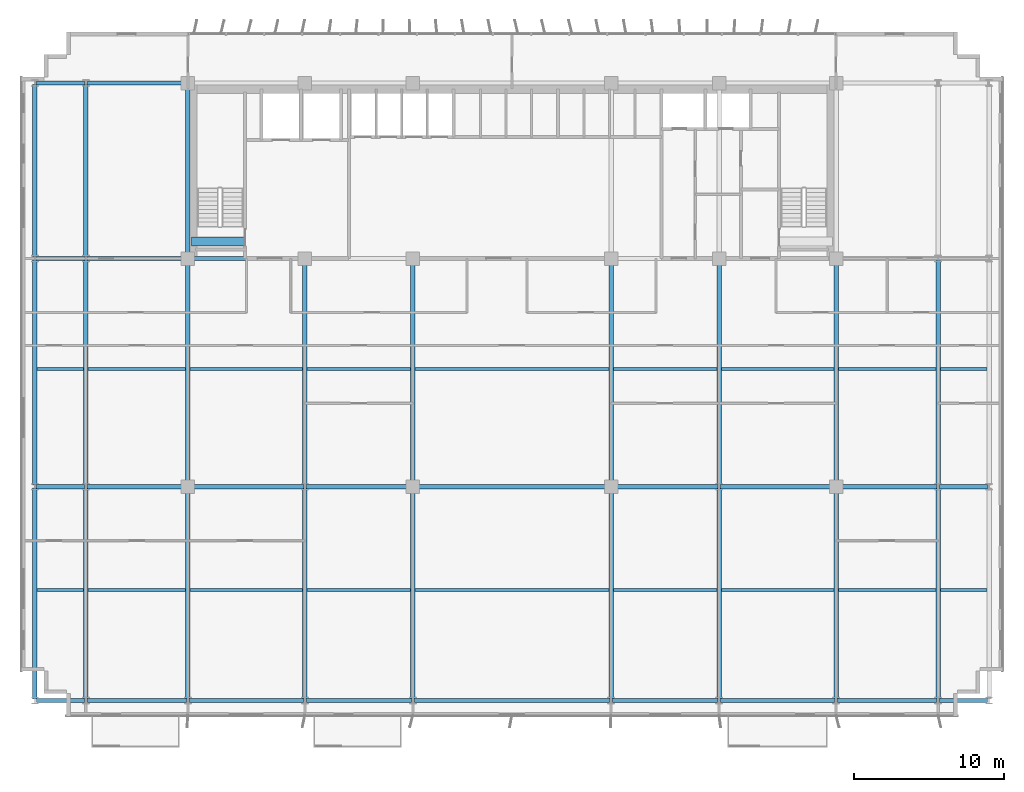
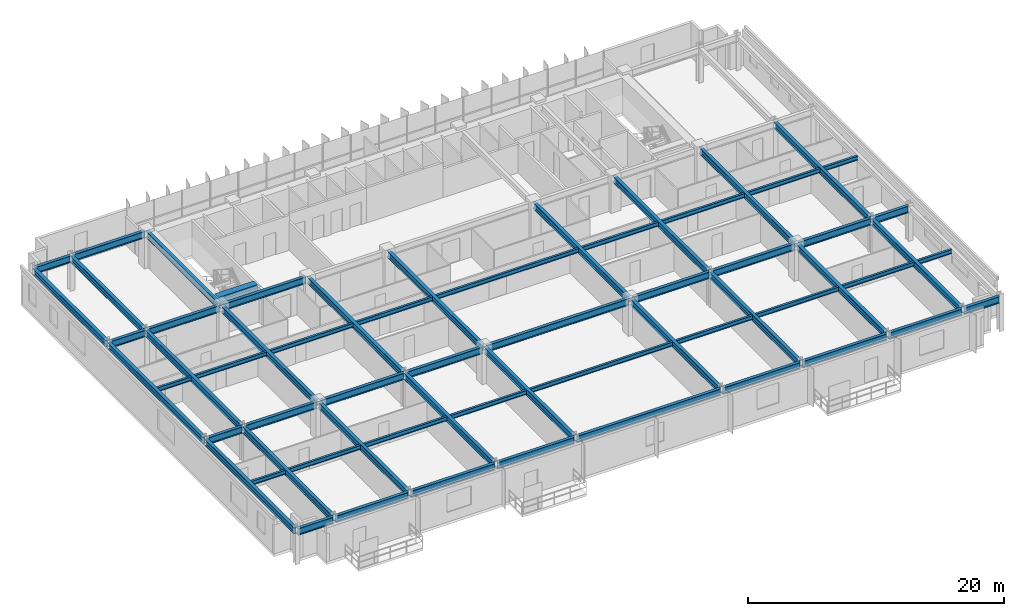
# One storey, part 4 of 21: 63 beams.
"""IFC4 building model written with IfcOpenShell, lengths in metres."""

from ifc_helpers import new_model, si_unit, direction, frame, origin, origin_2d, place, context, subcontext, project, spatial, rectangle, i_section, extrude, source, transform, mapped, material, material_profile, profile_set, type_object, element, save


model = new_model("IFC4")

# Units and contexts
model_context = context("Model", 3, precision=1e-05, world=origin(), true_north=direction((0.0, 1.0)))
body_context = subcontext(model_context, "Body", "Model", "MODEL_VIEW")
ifc_project = project(units=[si_unit("LENGTHUNIT", "METRE"), si_unit("AREAUNIT", "SQUARE_METRE"), si_unit("VOLUMEUNIT", "CUBIC_METRE"), si_unit("PLANEANGLEUNIT", "RADIAN"), si_unit("MASSUNIT", "GRAM", prefix="KILO")], contexts=[model_context])

# Site, building, storey
site_placement = place(None, origin())
site = spatial("IfcSite", under=ifc_project, at=site_placement, CompositionType="ELEMENT")
building_placement = place(site_placement, origin())
building = spatial("IfcBuilding", under=site, at=building_placement, Name="Trelvane Seafront Commons", CompositionType="ELEMENT")
storey_placement = place(building_placement, frame((0.0, 0.0, 41.5)))
storey = spatial("IfcBuildingStorey", under=building, at=storey_placement, Name="L10", CompositionType="ELEMENT", Elevation=41.5)

# Beams
ifc_material_1 = material(Name="Concrete C60/75", Category="concrete")
ifc_material_profile_1 = material_profile(ifc_material_1, rectangle(XDim=0.60009765625, YDim=0.89990234375, at=origin_2d()), Name="RC-600x900")
ifc_profile_set_1 = profile_set([ifc_material_profile_1], Name="Concrete C60/75")
beam_type_1 = type_object("IfcBeamType", Name="STR-LNT-RC600x900", PredefinedType="LINTEL", material=ifc_profile_set_1)
shared_shape_1 = source(origin(), body_context, "Body", "SweptSolid", [
    extrude(rectangle(XDim=0.60009765625, YDim=0.89990234375, at=origin_2d()), origin(), (0.0, 0.0, 1.0), 3.5498046875),
])
beam_1_placement = place(storey_placement, frame((15.85009765625, 34.550048828125, 2.889892578125), z_axis=(1.0, 0.0, 0.0), x_axis=(0.0, 1.0, 0.0)))
element("IfcBeam", 1, at=beam_1_placement, inside=storey, type_object=beam_type_1, Name="L10 Core Coupling Lintel Beam CB-85", PredefinedType="LINTEL", context=body_context, shape_type="MappedRepresentation", body=[
    mapped(shared_shape_1, transform((0.0, 0.0, 0.0), x_axis=(1.0, 0.0, 0.0), y_axis=(0.0, 1.0, 0.0), z_axis=(0.0, 0.0, 1.0), scale=1.0)),
])
ifc_material_2 = material(Name="Steel SM355 (S355)", Category="steel")
ifc_material_profile_2 = material_profile(ifc_material_2, i_section(OverallWidth=0.280029296875, OverallDepth=0.64990234375, WebThickness=0.012939453125, FlangeThickness=0.02197265625, at=origin_2d()), Name="H-650x280x13x22")
ifc_profile_set_2 = profile_set([ifc_material_profile_2], Name="Steel SM355 (S355)")
beam_type_2 = type_object("IfcBeamType", Name="STR-BM-H650", PredefinedType="BEAM", material=ifc_profile_set_2)
shared_shape_2 = source(origin(), body_context, "Body", "SweptSolid", [
    extrude(i_section(OverallWidth=0.280029296875, OverallDepth=0.64990234375, WebThickness=0.012939453125, FlangeThickness=0.02197265625, at=origin_2d()), origin(), (0.0, 0.0, 1.0), 3.190185546875),
])
for number, where, z_axis, x_axis, name in (
    (2, (5.5048828125, 3.949951171875, 3.014892578125), (1.0, 0.0, 0.0), (0.0, 1.0, 0.0), "L10 Primary Girder G-01"),
    (3, (5.5048828125, 18.199951171875, 3.014892578125), (1.0, 0.0, 0.0), (0.0, 1.0, 0.0), "L10 Primary Girder G-10"),
    (4, (5.5048828125, 33.39990234375, 3.014892578125), (1.0, 0.0, 0.0), (0.0, 1.0, 0.0), "L10 Primary Girder G-19"),
    (5, (5.5048828125, 45.10009765625, 3.014892578125), (1.0, 0.0, 0.0), (0.0, 1.0, 0.0), "L10 Primary Girder G-28"),
):
    element("IfcBeam", number, at=place(storey_placement, frame(where, z_axis=z_axis, x_axis=x_axis)), inside=storey, type_object=beam_type_2, Name=name, PredefinedType="BEAM", context=body_context, shape_type="MappedRepresentation", body=[
        mapped(shared_shape_2, transform((0.0, 0.0, 0.0), x_axis=(1.0, 0.0, 0.0), y_axis=(0.0, 1.0, 0.0), z_axis=(0.0, 0.0, 1.0), scale=1.0)),
    ])
shared_shape_3 = source(origin(), body_context, "Body", "SweptSolid", [
    extrude(i_section(OverallWidth=0.280029296875, OverallDepth=0.64990234375, WebThickness=0.012939453125, FlangeThickness=0.02197265625, at=origin_2d()), origin(), (0.0, 0.0, 1.0), 6.590087890625),
])
for number, where, z_axis, x_axis, name in (
    (6, (8.905029296875, 3.949951171875, 3.014892578125), (1.0, 0.0, 0.0), (0.0, 1.0, 0.0), "L10 Primary Girder G-02"),
    (7, (58.905029296875, 3.949951171875, 3.014892578125), (1.0, 0.0, 0.0), (0.0, 1.0, 0.0), "L10 Primary Girder G-08"),
):
    element("IfcBeam", number, at=place(storey_placement, frame(where, z_axis=z_axis, x_axis=x_axis)), inside=storey, type_object=beam_type_2, Name=name, PredefinedType="BEAM", context=body_context, shape_type="MappedRepresentation", body=[
        mapped(shared_shape_3, transform((0.0, 0.0, 0.0), x_axis=(1.0, 0.0, 0.0), y_axis=(0.0, 1.0, 0.0), z_axis=(0.0, 0.0, 1.0), scale=1.0)),
    ])
shared_shape_4 = source(origin(), body_context, "Body", "SweptSolid", [
    extrude(i_section(OverallWidth=0.280029296875, OverallDepth=0.64990234375, WebThickness=0.012939453125, FlangeThickness=0.02197265625, at=origin_2d()), origin(), (0.0, 0.0, 1.0), 7.58984375),
])
beam_2_placement = place(storey_placement, frame((15.705078125, 3.949951171875, 3.014892578125), z_axis=(1.0, 0.0, 0.0), x_axis=(0.0, 1.0, 0.0)))
element("IfcBeam", 8, at=beam_2_placement, inside=storey, type_object=beam_type_2, Name="L10 Primary Girder G-03", PredefinedType="BEAM", context=body_context, shape_type="MappedRepresentation", body=[
    mapped(shared_shape_4, transform((0.0, 0.0, 0.0), x_axis=(1.0, 0.0, 0.0), y_axis=(0.0, 1.0, 0.0), z_axis=(0.0, 0.0, 1.0), scale=1.0)),
])
shared_shape_5 = source(origin(), body_context, "Body", "SweptSolid", [
    extrude(i_section(OverallWidth=0.280029296875, OverallDepth=0.64990234375, WebThickness=0.012939453125, FlangeThickness=0.02197265625, at=origin_2d()), origin(), (0.0, 0.0, 1.0), 6.990234375),
])
beam_3_placement = place(storey_placement, frame((23.5048828125, 3.949951171875, 3.014892578125), z_axis=(1.0, 0.0, 0.0), x_axis=(0.0, 1.0, 0.0)))
element("IfcBeam", 9, at=beam_3_placement, inside=storey, type_object=beam_type_2, Name="L10 Primary Girder G-04", PredefinedType="BEAM", context=body_context, shape_type="MappedRepresentation", body=[
    mapped(shared_shape_5, transform((0.0, 0.0, 0.0), x_axis=(1.0, 0.0, 0.0), y_axis=(0.0, 1.0, 0.0), z_axis=(0.0, 0.0, 1.0), scale=1.0)),
])
shared_shape_6 = source(origin(), body_context, "Body", "SweptSolid", [
    extrude(i_section(OverallWidth=0.280029296875, OverallDepth=0.64990234375, WebThickness=0.012939453125, FlangeThickness=0.02197265625, at=origin_2d()), origin(), (0.0, 0.0, 1.0), 12.989990234375),
])
beam_4_placement = place(storey_placement, frame((30.705078125, 3.949951171875, 3.014892578125), z_axis=(1.0, 0.0, 0.0), x_axis=(0.0, 1.0, 0.0)))
element("IfcBeam", 10, at=beam_4_placement, inside=storey, type_object=beam_type_2, Name="L10 Primary Girder G-05", PredefinedType="BEAM", context=body_context, shape_type="MappedRepresentation", body=[
    mapped(shared_shape_6, transform((0.0, 0.0, 0.0), x_axis=(1.0, 0.0, 0.0), y_axis=(0.0, 1.0, 0.0), z_axis=(0.0, 0.0, 1.0), scale=1.0)),
])
shared_shape_7 = source(origin(), body_context, "Body", "SweptSolid", [
    extrude(i_section(OverallWidth=0.280029296875, OverallDepth=0.64990234375, WebThickness=0.012939453125, FlangeThickness=0.02197265625, at=origin_2d()), origin(), (0.0, 0.0, 1.0), 6.989990234375),
])
beam_5_placement = place(storey_placement, frame((43.905029296875, 3.949951171875, 3.014892578125), z_axis=(1.0, 0.0, 0.0), x_axis=(0.0, 1.0, 0.0)))
element("IfcBeam", 11, at=beam_5_placement, inside=storey, type_object=beam_type_2, Name="L10 Primary Girder G-06", PredefinedType="BEAM", context=body_context, shape_type="MappedRepresentation", body=[
    mapped(shared_shape_7, transform((0.0, 0.0, 0.0), x_axis=(1.0, 0.0, 0.0), y_axis=(0.0, 1.0, 0.0), z_axis=(0.0, 0.0, 1.0), scale=1.0)),
])
shared_shape_8 = source(origin(), body_context, "Body", "SweptSolid", [
    extrude(i_section(OverallWidth=0.280029296875, OverallDepth=0.64990234375, WebThickness=0.012939453125, FlangeThickness=0.02197265625, at=origin_2d()), origin(), (0.0, 0.0, 1.0), 7.590087890625),
])
beam_6_placement = place(storey_placement, frame((51.10498046875, 3.949951171875, 3.014892578125), z_axis=(1.0, 0.0, 0.0), x_axis=(0.0, 1.0, 0.0)))
element("IfcBeam", 12, at=beam_6_placement, inside=storey, type_object=beam_type_2, Name="L10 Primary Girder G-07", PredefinedType="BEAM", context=body_context, shape_type="MappedRepresentation", body=[
    mapped(shared_shape_8, transform((0.0, 0.0, 0.0), x_axis=(1.0, 0.0, 0.0), y_axis=(0.0, 1.0, 0.0), z_axis=(0.0, 0.0, 1.0), scale=1.0)),
])
shared_shape_9 = source(origin(), body_context, "Body", "SweptSolid", [
    extrude(i_section(OverallWidth=0.280029296875, OverallDepth=0.64990234375, WebThickness=0.012939453125, FlangeThickness=0.02197265625, at=origin_2d()), origin(), (0.0, 0.0, 1.0), 3.18994140625),
])
for number, where, z_axis, x_axis, name in (
    (13, (65.705078125, 3.949951171875, 3.014892578125), (1.0, 0.0, 0.0), (0.0, 1.0, 0.0), "L10 Primary Girder G-09"),
    (14, (65.705078125, 18.199951171875, 3.014892578125), (1.0, 0.0, 0.0), (0.0, 1.0, 0.0), "L10 Primary Girder G-18"),
):
    element("IfcBeam", number, at=place(storey_placement, frame(where, z_axis=z_axis, x_axis=x_axis)), inside=storey, type_object=beam_type_2, Name=name, PredefinedType="BEAM", context=body_context, shape_type="MappedRepresentation", body=[
        mapped(shared_shape_9, transform((0.0, 0.0, 0.0), x_axis=(1.0, 0.0, 0.0), y_axis=(0.0, 1.0, 0.0), z_axis=(0.0, 0.0, 1.0), scale=1.0)),
    ])
shared_shape_10 = source(origin(), body_context, "Body", "SweptSolid", [
    extrude(i_section(OverallWidth=0.280029296875, OverallDepth=0.64990234375, WebThickness=0.012939453125, FlangeThickness=0.02197265625, at=origin_2d()), origin(), (0.0, 0.0, 1.0), 6.544921875),
])
for number, where, z_axis, x_axis, name in (
    (15, (8.905029296875, 18.199951171875, 3.014892578125), (1.0, 0.0, 0.0), (0.0, 1.0, 0.0), "L10 Primary Girder G-11"),
    (16, (8.905029296875, 33.39990234375, 3.014892578125), (1.0, 0.0, 0.0), (0.0, 1.0, 0.0), "L10 Primary Girder G-20"),
    (17, (8.905029296875, 45.10009765625, 3.014892578125), (1.0, 0.0, 0.0), (0.0, 1.0, 0.0), "L10 Primary Girder G-29"),
):
    element("IfcBeam", number, at=place(storey_placement, frame(where, z_axis=z_axis, x_axis=x_axis)), inside=storey, type_object=beam_type_2, Name=name, PredefinedType="BEAM", context=body_context, shape_type="MappedRepresentation", body=[
        mapped(shared_shape_10, transform((0.0, 0.0, 0.0), x_axis=(1.0, 0.0, 0.0), y_axis=(0.0, 1.0, 0.0), z_axis=(0.0, 0.0, 1.0), scale=1.0)),
    ])
shared_shape_11 = source(origin(), body_context, "Body", "SweptSolid", [
    extrude(i_section(OverallWidth=0.280029296875, OverallDepth=0.64990234375, WebThickness=0.012939453125, FlangeThickness=0.02197265625, at=origin_2d()), origin(), (0.0, 0.0, 1.0), 7.544921875),
])
for number, where, z_axis, x_axis, name in (
    (18, (15.75, 18.199951171875, 3.014892578125), (1.0, 0.0, 0.0), (0.0, 1.0, 0.0), "L10 Primary Girder G-12"),
    (19, (51.10498046875, 18.199951171875, 3.014892578125), (1.0, 0.0, 0.0), (0.0, 1.0, 0.0), "L10 Primary Girder G-16"),
):
    element("IfcBeam", number, at=place(storey_placement, frame(where, z_axis=z_axis, x_axis=x_axis)), inside=storey, type_object=beam_type_2, Name=name, PredefinedType="BEAM", context=body_context, shape_type="MappedRepresentation", body=[
        mapped(shared_shape_11, transform((0.0, 0.0, 0.0), x_axis=(1.0, 0.0, 0.0), y_axis=(0.0, 1.0, 0.0), z_axis=(0.0, 0.0, 1.0), scale=1.0)),
    ])
shared_shape_12 = source(origin(), body_context, "Body", "SweptSolid", [
    extrude(i_section(OverallWidth=0.280029296875, OverallDepth=0.64990234375, WebThickness=0.012939453125, FlangeThickness=0.02197265625, at=origin_2d()), origin(), (0.0, 0.0, 1.0), 6.945068359375),
])
for number, where, z_axis, x_axis, name in (
    (20, (23.5048828125, 18.199951171875, 3.014892578125), (1.0, 0.0, 0.0), (0.0, 1.0, 0.0), "L10 Primary Girder G-13"),
    (21, (43.949951171875, 18.199951171875, 3.014892578125), (1.0, 0.0, 0.0), (0.0, 1.0, 0.0), "L10 Primary Girder G-15"),
):
    element("IfcBeam", number, at=place(storey_placement, frame(where, z_axis=z_axis, x_axis=x_axis)), inside=storey, type_object=beam_type_2, Name=name, PredefinedType="BEAM", context=body_context, shape_type="MappedRepresentation", body=[
        mapped(shared_shape_12, transform((0.0, 0.0, 0.0), x_axis=(1.0, 0.0, 0.0), y_axis=(0.0, 1.0, 0.0), z_axis=(0.0, 0.0, 1.0), scale=1.0)),
    ])
shared_shape_13 = source(origin(), body_context, "Body", "SweptSolid", [
    extrude(i_section(OverallWidth=0.280029296875, OverallDepth=0.64990234375, WebThickness=0.012939453125, FlangeThickness=0.02197265625, at=origin_2d()), origin(), (0.0, 0.0, 1.0), 12.89990234375),
])
beam_7_placement = place(storey_placement, frame((30.75, 18.199951171875, 3.014892578125), z_axis=(1.0, 0.0, 0.0), x_axis=(0.0, 1.0, 0.0)))
element("IfcBeam", 22, at=beam_7_placement, inside=storey, type_object=beam_type_2, Name="L10 Primary Girder G-14", PredefinedType="BEAM", context=body_context, shape_type="MappedRepresentation", body=[
    mapped(shared_shape_13, transform((0.0, 0.0, 0.0), x_axis=(1.0, 0.0, 0.0), y_axis=(0.0, 1.0, 0.0), z_axis=(0.0, 0.0, 1.0), scale=1.0)),
])
shared_shape_14 = source(origin(), body_context, "Body", "SweptSolid", [
    extrude(i_section(OverallWidth=0.280029296875, OverallDepth=0.64990234375, WebThickness=0.012939453125, FlangeThickness=0.02197265625, at=origin_2d()), origin(), (0.0, 0.0, 1.0), 6.545166015625),
])
beam_8_placement = place(storey_placement, frame((58.949951171875, 18.199951171875, 3.014892578125), z_axis=(1.0, 0.0, 0.0), x_axis=(0.0, 1.0, 0.0)))
element("IfcBeam", 23, at=beam_8_placement, inside=storey, type_object=beam_type_2, Name="L10 Primary Girder G-17", PredefinedType="BEAM", context=body_context, shape_type="MappedRepresentation", body=[
    mapped(shared_shape_14, transform((0.0, 0.0, 0.0), x_axis=(1.0, 0.0, 0.0), y_axis=(0.0, 1.0, 0.0), z_axis=(0.0, 0.0, 1.0), scale=1.0)),
])
shared_shape_15 = source(origin(), body_context, "Body", "SweptSolid", [
    extrude(i_section(OverallWidth=0.280029296875, OverallDepth=0.64990234375, WebThickness=0.012939453125, FlangeThickness=0.02197265625, at=origin_2d()), origin(), (0.0, 0.0, 1.0), 7.5),
])
beam_9_placement = place(storey_placement, frame((15.75, 33.39990234375, 3.014892578125), z_axis=(1.0, 0.0, 0.0), x_axis=(0.0, 1.0, 0.0)))
element("IfcBeam", 24, at=beam_9_placement, inside=storey, type_object=beam_type_2, Name="L10 Primary Girder G-21", PredefinedType="BEAM", context=body_context, shape_type="MappedRepresentation", body=[
    mapped(shared_shape_15, transform((0.0, 0.0, 0.0), x_axis=(1.0, 0.0, 0.0), y_axis=(0.0, 1.0, 0.0), z_axis=(0.0, 0.0, 1.0), scale=1.0)),
])
ifc_material_profile_3 = material_profile(ifc_material_2, i_section(OverallWidth=0.300048828125, OverallDepth=0.587890625, WebThickness=0.011962890625, FlangeThickness=0.02001953125, at=origin_2d()), Name="H-588x300x12x20")
ifc_profile_set_3 = profile_set([ifc_material_profile_3], Name="Steel SM355 (S355)")
beam_type_3 = type_object("IfcBeamType", Name="STR-BM-H588", PredefinedType="BEAM", material=ifc_profile_set_3)
shared_shape_16 = source(origin(), body_context, "Body", "SweptSolid", [
    extrude(i_section(OverallWidth=0.300048828125, OverallDepth=0.587890625, WebThickness=0.011962890625, FlangeThickness=0.02001953125, at=origin_2d()), origin(), (0.0, 0.0, 1.0), 14.0400390625),
])
for number, where, z_axis, x_axis, name in (
    (25, (5.39990234375, 4.054931640625, 3.0458984375), (0.0, 1.0, 0.0), (-1.0, 0.0, 0.0), "L10 Primary Girder G-37"),
    (26, (8.800048828125, 4.054931640625, 3.0458984375), (0.0, 1.0, 0.0), (-1.0, 0.0, 0.0), "L10 Primary Girder G-40"),
    (27, (23.39990234375, 4.054931640625, 3.0458984375), (0.0, 1.0, 0.0), (-1.0, 0.0, 0.0), "L10 Primary Girder G-46"),
    (28, (51.0, 4.054931640625, 3.0458984375), (0.0, 1.0, 0.0), (-1.0, 0.0, 0.0), "L10 Primary Girder G-55"),
    (29, (65.60009765625, 4.054931640625, 3.0458984375), (0.0, 1.0, 0.0), (-1.0, 0.0, 0.0), "L10 Primary Girder G-61"),
):
    element("IfcBeam", number, at=place(storey_placement, frame(where, z_axis=z_axis, x_axis=x_axis)), inside=storey, type_object=beam_type_3, Name=name, PredefinedType="BEAM", context=body_context, shape_type="MappedRepresentation", body=[
        mapped(shared_shape_16, transform((0.0, 0.0, 0.0), x_axis=(1.0, 0.0, 0.0), y_axis=(0.0, 1.0, 0.0), z_axis=(0.0, 0.0, 1.0), scale=1.0)),
    ])
shared_shape_17 = source(origin(), body_context, "Body", "SweptSolid", [
    extrude(i_section(OverallWidth=0.300048828125, OverallDepth=0.587890625, WebThickness=0.011962890625, FlangeThickness=0.02001953125, at=origin_2d()), origin(), (0.0, 0.0, 1.0), 14.989990234375),
])
for number, where, z_axis, x_axis, name in (
    (30, (5.39990234375, 18.304931640625, 3.0458984375), (0.0, 1.0, 0.0), (-1.0, 0.0, 0.0), "L10 Primary Girder G-38"),
    (31, (8.800048828125, 18.304931640625, 3.0458984375), (0.0, 1.0, 0.0), (-1.0, 0.0, 0.0), "L10 Primary Girder G-41"),
    (32, (65.60009765625, 18.304931640625, 3.0458984375), (0.0, 1.0, 0.0), (-1.0, 0.0, 0.0), "L10 Primary Girder G-62"),
):
    element("IfcBeam", number, at=place(storey_placement, frame(where, z_axis=z_axis, x_axis=x_axis)), inside=storey, type_object=beam_type_3, Name=name, PredefinedType="BEAM", context=body_context, shape_type="MappedRepresentation", body=[
        mapped(shared_shape_17, transform((0.0, 0.0, 0.0), x_axis=(1.0, 0.0, 0.0), y_axis=(0.0, 1.0, 0.0), z_axis=(0.0, 0.0, 1.0), scale=1.0)),
    ])
shared_shape_18 = source(origin(), body_context, "Body", "SweptSolid", [
    extrude(i_section(OverallWidth=0.300048828125, OverallDepth=0.587890625, WebThickness=0.011962890625, FlangeThickness=0.02001953125, at=origin_2d()), origin(), (0.0, 0.0, 1.0), 11.490234375),
])
for number, where, z_axis, x_axis, name in (
    (33, (5.39990234375, 33.5048828125, 3.0458984375), (0.0, 1.0, 0.0), (-1.0, 0.0, 0.0), "L10 Primary Girder G-39"),
    (34, (8.800048828125, 33.5048828125, 3.0458984375), (0.0, 1.0, 0.0), (-1.0, 0.0, 0.0), "L10 Primary Girder G-42"),
):
    element("IfcBeam", number, at=place(storey_placement, frame(where, z_axis=z_axis, x_axis=x_axis)), inside=storey, type_object=beam_type_3, Name=name, PredefinedType="BEAM", context=body_context, shape_type="MappedRepresentation", body=[
        mapped(shared_shape_18, transform((0.0, 0.0, 0.0), x_axis=(1.0, 0.0, 0.0), y_axis=(0.0, 1.0, 0.0), z_axis=(0.0, 0.0, 1.0), scale=1.0)),
    ])
shared_shape_19 = source(origin(), body_context, "Body", "SweptSolid", [
    extrude(i_section(OverallWidth=0.300048828125, OverallDepth=0.587890625, WebThickness=0.011962890625, FlangeThickness=0.02001953125, at=origin_2d()), origin(), (0.0, 0.0, 1.0), 13.9951171875),
])
for number, where, z_axis, x_axis, name in (
    (35, (15.60009765625, 4.054931640625, 3.0458984375), (0.0, 1.0, 0.0), (-1.0, 0.0, 0.0), "L10 Primary Girder G-43"),
    (36, (30.60009765625, 4.054931640625, 3.0458984375), (0.0, 1.0, 0.0), (-1.0, 0.0, 0.0), "L10 Primary Girder G-49"),
    (37, (43.800048828125, 4.054931640625, 3.0458984375), (0.0, 1.0, 0.0), (-1.0, 0.0, 0.0), "L10 Primary Girder G-52"),
    (38, (58.800048828125, 4.054931640625, 3.0458984375), (0.0, 1.0, 0.0), (-1.0, 0.0, 0.0), "L10 Primary Girder G-58"),
):
    element("IfcBeam", number, at=place(storey_placement, frame(where, z_axis=z_axis, x_axis=x_axis)), inside=storey, type_object=beam_type_3, Name=name, PredefinedType="BEAM", context=body_context, shape_type="MappedRepresentation", body=[
        mapped(shared_shape_19, transform((0.0, 0.0, 0.0), x_axis=(1.0, 0.0, 0.0), y_axis=(0.0, 1.0, 0.0), z_axis=(0.0, 0.0, 1.0), scale=1.0)),
    ])
shared_shape_20 = source(origin(), body_context, "Body", "SweptSolid", [
    extrude(i_section(OverallWidth=0.300048828125, OverallDepth=0.587890625, WebThickness=0.011962890625, FlangeThickness=0.02001953125, at=origin_2d()), origin(), (0.0, 0.0, 1.0), 14.89990234375),
])
for number, where, z_axis, x_axis, name in (
    (39, (15.60009765625, 18.35009765625, 3.0458984375), (0.0, 1.0, 0.0), (-1.0, 0.0, 0.0), "L10 Primary Girder G-44"),
    (40, (30.60009765625, 18.35009765625, 3.0458984375), (0.0, 1.0, 0.0), (-1.0, 0.0, 0.0), "L10 Primary Girder G-50"),
    (41, (43.800048828125, 18.35009765625, 3.0458984375), (0.0, 1.0, 0.0), (-1.0, 0.0, 0.0), "L10 Primary Girder G-53"),
    (42, (58.800048828125, 18.35009765625, 3.0458984375), (0.0, 1.0, 0.0), (-1.0, 0.0, 0.0), "L10 Primary Girder G-59"),
):
    element("IfcBeam", number, at=place(storey_placement, frame(where, z_axis=z_axis, x_axis=x_axis)), inside=storey, type_object=beam_type_3, Name=name, PredefinedType="BEAM", context=body_context, shape_type="MappedRepresentation", body=[
        mapped(shared_shape_20, transform((0.0, 0.0, 0.0), x_axis=(1.0, 0.0, 0.0), y_axis=(0.0, 1.0, 0.0), z_axis=(0.0, 0.0, 1.0), scale=1.0)),
    ])
shared_shape_21 = source(origin(), body_context, "Body", "SweptSolid", [
    extrude(i_section(OverallWidth=0.300048828125, OverallDepth=0.587890625, WebThickness=0.011962890625, FlangeThickness=0.02001953125, at=origin_2d()), origin(), (0.0, 0.0, 1.0), 11.39990234375),
])
beam_10_placement = place(storey_placement, frame((15.60009765625, 33.550048828125, 3.0458984375), z_axis=(0.0, 1.0, 0.0), x_axis=(-1.0, 0.0, 0.0)))
element("IfcBeam", 43, at=beam_10_placement, inside=storey, type_object=beam_type_3, Name="L10 Primary Girder G-45", PredefinedType="BEAM", context=body_context, shape_type="MappedRepresentation", body=[
    mapped(shared_shape_21, transform((0.0, 0.0, 0.0), x_axis=(1.0, 0.0, 0.0), y_axis=(0.0, 1.0, 0.0), z_axis=(0.0, 0.0, 1.0), scale=1.0)),
])
shared_shape_22 = source(origin(), body_context, "Body", "SweptSolid", [
    extrude(i_section(OverallWidth=0.300048828125, OverallDepth=0.587890625, WebThickness=0.011962890625, FlangeThickness=0.02001953125, at=origin_2d()), origin(), (0.0, 0.0, 1.0), 14.945068359375),
])
for number, where, z_axis, x_axis, name in (
    (44, (23.39990234375, 18.304931640625, 3.0458984375), (0.0, 1.0, 0.0), (-1.0, 0.0, 0.0), "L10 Primary Girder G-47"),
    (45, (51.0, 18.304931640625, 3.0458984375), (0.0, 1.0, 0.0), (-1.0, 0.0, 0.0), "L10 Primary Girder G-56"),
):
    element("IfcBeam", number, at=place(storey_placement, frame(where, z_axis=z_axis, x_axis=x_axis)), inside=storey, type_object=beam_type_3, Name=name, PredefinedType="BEAM", context=body_context, shape_type="MappedRepresentation", body=[
        mapped(shared_shape_22, transform((0.0, 0.0, 0.0), x_axis=(1.0, 0.0, 0.0), y_axis=(0.0, 1.0, 0.0), z_axis=(0.0, 0.0, 1.0), scale=1.0)),
    ])
ifc_material_profile_4 = material_profile(ifc_material_2, i_section(OverallWidth=0.199951171875, OverallDepth=0.39990234375, WebThickness=0.008056640625, FlangeThickness=0.012939453125, at=origin_2d()), Name="H-400x200x8x13")
ifc_profile_set_4 = profile_set([ifc_material_profile_4], Name="Steel SM355 (S355)")
beam_type_4 = type_object("IfcBeamType", Name="STR-JST-H400", PredefinedType="JOIST", material=ifc_profile_set_4)
shared_shape_23 = source(origin(), body_context, "Body", "SweptSolid", [
    extrude(i_section(OverallWidth=0.199951171875, OverallDepth=0.39990234375, WebThickness=0.008056640625, FlangeThickness=0.012939453125, at=origin_2d()), origin(), (0.0, 0.0, 1.0), 3.099853515625),
])
for number, where, z_axis, x_axis, name in (
    (46, (5.550048828125, 11.324951171875, 3.139892578125), (1.0, 0.0, 0.0), (0.0, 1.0, 0.0), "L10 Secondary Floor Joist B-67"),
    (47, (5.550048828125, 26.050048828125, 3.139892578125), (1.0, 0.0, 0.0), (0.0, 1.0, 0.0), "L10 Secondary Floor Joist B-76"),
):
    element("IfcBeam", number, at=place(storey_placement, frame(where, z_axis=z_axis, x_axis=x_axis)), inside=storey, type_object=beam_type_4, Name=name, PredefinedType="JOIST", context=body_context, shape_type="MappedRepresentation", body=[
        mapped(shared_shape_23, transform((0.0, 0.0, 0.0), x_axis=(1.0, 0.0, 0.0), y_axis=(0.0, 1.0, 0.0), z_axis=(0.0, 0.0, 1.0), scale=1.0)),
    ])
shared_shape_24 = source(origin(), body_context, "Body", "SweptSolid", [
    extrude(i_section(OverallWidth=0.199951171875, OverallDepth=0.39990234375, WebThickness=0.008056640625, FlangeThickness=0.012939453125, at=origin_2d()), origin(), (0.0, 0.0, 1.0), 6.5),
])
for number, where, z_axis, x_axis, name in (
    (48, (8.949951171875, 11.324951171875, 3.139892578125), (1.0, 0.0, 0.0), (0.0, 1.0, 0.0), "L10 Secondary Floor Joist B-68"),
    (49, (58.949951171875, 11.324951171875, 3.139892578125), (1.0, 0.0, 0.0), (0.0, 1.0, 0.0), "L10 Secondary Floor Joist B-74"),
    (50, (8.949951171875, 26.050048828125, 3.139892578125), (1.0, 0.0, 0.0), (0.0, 1.0, 0.0), "L10 Secondary Floor Joist B-77"),
    (51, (58.949951171875, 26.050048828125, 3.139892578125), (1.0, 0.0, 0.0), (0.0, 1.0, 0.0), "L10 Secondary Floor Joist B-83"),
):
    element("IfcBeam", number, at=place(storey_placement, frame(where, z_axis=z_axis, x_axis=x_axis)), inside=storey, type_object=beam_type_4, Name=name, PredefinedType="JOIST", context=body_context, shape_type="MappedRepresentation", body=[
        mapped(shared_shape_24, transform((0.0, 0.0, 0.0), x_axis=(1.0, 0.0, 0.0), y_axis=(0.0, 1.0, 0.0), z_axis=(0.0, 0.0, 1.0), scale=1.0)),
    ])
shared_shape_25 = source(origin(), body_context, "Body", "SweptSolid", [
    extrude(i_section(OverallWidth=0.199951171875, OverallDepth=0.39990234375, WebThickness=0.008056640625, FlangeThickness=0.012939453125, at=origin_2d()), origin(), (0.0, 0.0, 1.0), 7.5),
])
for number, where, z_axis, x_axis, name in (
    (52, (15.75, 11.324951171875, 3.139892578125), (1.0, 0.0, 0.0), (0.0, 1.0, 0.0), "L10 Secondary Floor Joist B-69"),
    (53, (51.14990234375, 11.324951171875, 3.139892578125), (1.0, 0.0, 0.0), (0.0, 1.0, 0.0), "L10 Secondary Floor Joist B-73"),
    (54, (15.75, 26.050048828125, 3.139892578125), (1.0, 0.0, 0.0), (0.0, 1.0, 0.0), "L10 Secondary Floor Joist B-78"),
    (55, (51.14990234375, 26.050048828125, 3.139892578125), (1.0, 0.0, 0.0), (0.0, 1.0, 0.0), "L10 Secondary Floor Joist B-82"),
):
    element("IfcBeam", number, at=place(storey_placement, frame(where, z_axis=z_axis, x_axis=x_axis)), inside=storey, type_object=beam_type_4, Name=name, PredefinedType="JOIST", context=body_context, shape_type="MappedRepresentation", body=[
        mapped(shared_shape_25, transform((0.0, 0.0, 0.0), x_axis=(1.0, 0.0, 0.0), y_axis=(0.0, 1.0, 0.0), z_axis=(0.0, 0.0, 1.0), scale=1.0)),
    ])
shared_shape_26 = source(origin(), body_context, "Body", "SweptSolid", [
    extrude(i_section(OverallWidth=0.199951171875, OverallDepth=0.39990234375, WebThickness=0.008056640625, FlangeThickness=0.012939453125, at=origin_2d()), origin(), (0.0, 0.0, 1.0), 6.89990234375),
])
for number, where, z_axis, x_axis, name in (
    (56, (23.550048828125, 11.324951171875, 3.139892578125), (1.0, 0.0, 0.0), (0.0, 1.0, 0.0), "L10 Secondary Floor Joist B-70"),
    (57, (23.550048828125, 26.050048828125, 3.139892578125), (1.0, 0.0, 0.0), (0.0, 1.0, 0.0), "L10 Secondary Floor Joist B-79"),
):
    element("IfcBeam", number, at=place(storey_placement, frame(where, z_axis=z_axis, x_axis=x_axis)), inside=storey, type_object=beam_type_4, Name=name, PredefinedType="JOIST", context=body_context, shape_type="MappedRepresentation", body=[
        mapped(shared_shape_26, transform((0.0, 0.0, 0.0), x_axis=(1.0, 0.0, 0.0), y_axis=(0.0, 1.0, 0.0), z_axis=(0.0, 0.0, 1.0), scale=1.0)),
    ])
shared_shape_27 = source(origin(), body_context, "Body", "SweptSolid", [
    extrude(i_section(OverallWidth=0.199951171875, OverallDepth=0.39990234375, WebThickness=0.008056640625, FlangeThickness=0.012939453125, at=origin_2d()), origin(), (0.0, 0.0, 1.0), 12.89990234375),
])
for number, where, z_axis, x_axis, name in (
    (58, (30.75, 11.324951171875, 3.139892578125), (1.0, 0.0, 0.0), (0.0, 1.0, 0.0), "L10 Secondary Floor Joist B-71"),
    (59, (30.75, 26.050048828125, 3.139892578125), (1.0, 0.0, 0.0), (0.0, 1.0, 0.0), "L10 Secondary Floor Joist B-80"),
):
    element("IfcBeam", number, at=place(storey_placement, frame(where, z_axis=z_axis, x_axis=x_axis)), inside=storey, type_object=beam_type_4, Name=name, PredefinedType="JOIST", context=body_context, shape_type="MappedRepresentation", body=[
        mapped(shared_shape_27, transform((0.0, 0.0, 0.0), x_axis=(1.0, 0.0, 0.0), y_axis=(0.0, 1.0, 0.0), z_axis=(0.0, 0.0, 1.0), scale=1.0)),
    ])
shared_shape_28 = source(origin(), body_context, "Body", "SweptSolid", [
    extrude(i_section(OverallWidth=0.199951171875, OverallDepth=0.39990234375, WebThickness=0.008056640625, FlangeThickness=0.012939453125, at=origin_2d()), origin(), (0.0, 0.0, 1.0), 6.900146484375),
])
for number, where, z_axis, x_axis, name in (
    (60, (43.949951171875, 11.324951171875, 3.139892578125), (1.0, 0.0, 0.0), (0.0, 1.0, 0.0), "L10 Secondary Floor Joist B-72"),
    (61, (43.949951171875, 26.050048828125, 3.139892578125), (1.0, 0.0, 0.0), (0.0, 1.0, 0.0), "L10 Secondary Floor Joist B-81"),
):
    element("IfcBeam", number, at=place(storey_placement, frame(where, z_axis=z_axis, x_axis=x_axis)), inside=storey, type_object=beam_type_4, Name=name, PredefinedType="JOIST", context=body_context, shape_type="MappedRepresentation", body=[
        mapped(shared_shape_28, transform((0.0, 0.0, 0.0), x_axis=(1.0, 0.0, 0.0), y_axis=(0.0, 1.0, 0.0), z_axis=(0.0, 0.0, 1.0), scale=1.0)),
    ])
shared_shape_29 = source(origin(), body_context, "Body", "SweptSolid", [
    extrude(i_section(OverallWidth=0.199951171875, OverallDepth=0.39990234375, WebThickness=0.008056640625, FlangeThickness=0.012939453125, at=origin_2d()), origin(), (0.0, 0.0, 1.0), 3.10009765625),
])
for number, where, z_axis, x_axis, name in (
    (62, (65.75, 11.324951171875, 3.139892578125), (1.0, 0.0, 0.0), (0.0, 1.0, 0.0), "L10 Secondary Floor Joist B-75"),
    (63, (65.75, 26.050048828125, 3.139892578125), (1.0, 0.0, 0.0), (0.0, 1.0, 0.0), "L10 Secondary Floor Joist B-84"),
):
    element("IfcBeam", number, at=place(storey_placement, frame(where, z_axis=z_axis, x_axis=x_axis)), inside=storey, type_object=beam_type_4, Name=name, PredefinedType="JOIST", context=body_context, shape_type="MappedRepresentation", body=[
        mapped(shared_shape_29, transform((0.0, 0.0, 0.0), x_axis=(1.0, 0.0, 0.0), y_axis=(0.0, 1.0, 0.0), z_axis=(0.0, 0.0, 1.0), scale=1.0)),
    ])

save(model, "model.ifc")
